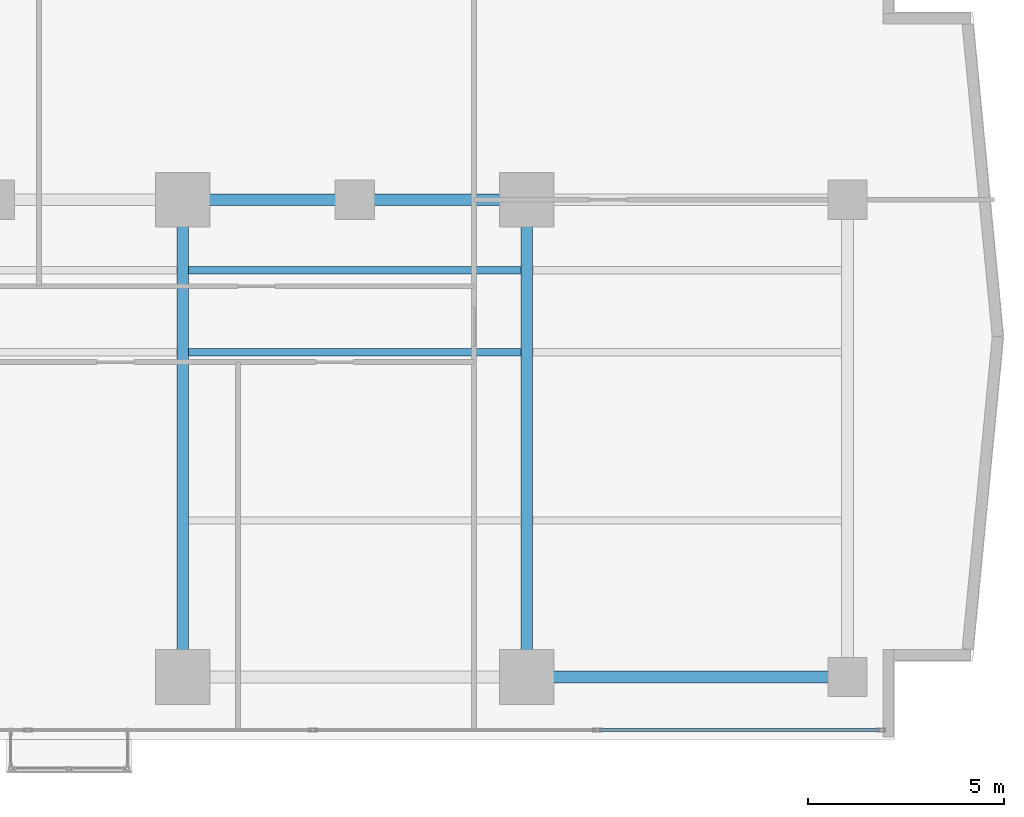
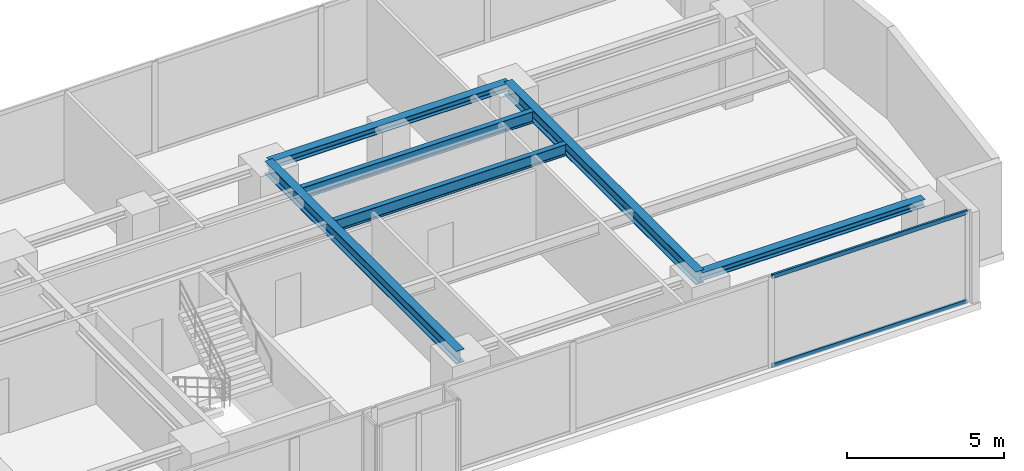
# One storey, part 13 of 28: 6 beams, 2 members, 1 element without a shape of its own.
"""IFC4 building model written with IfcOpenShell, lengths in metres."""

from ifc_helpers import new_model, si_unit, direction, frame, origin, origin_with_axes, origin_2d, place, context, subcontext, project, spatial, hollow_rectangle, i_section, extrude, source, transform, mapped, material, layer, layer_set, material_profile, profile_set, type_object, element, aggregate, save


model = new_model("IFC4")

# Units and contexts
model_context = context("Model", 3, precision=1e-05, world=origin(), true_north=direction((0.0, 1.0)))
body_context = subcontext(model_context, "Body", "Model", "MODEL_VIEW")
ifc_project = project(units=[si_unit("LENGTHUNIT", "METRE"), si_unit("AREAUNIT", "SQUARE_METRE"), si_unit("VOLUMEUNIT", "CUBIC_METRE"), si_unit("PLANEANGLEUNIT", "RADIAN"), si_unit("MASSUNIT", "GRAM", prefix="KILO")], contexts=[model_context])

# Site, building, storey
site_placement = place(None, origin())
site = spatial("IfcSite", under=ifc_project, at=site_placement, CompositionType="ELEMENT")
building_placement = place(site_placement, origin())
building = spatial("IfcBuilding", under=site, at=building_placement, Name="Kolvaren Waterfront Exchange", CompositionType="ELEMENT")
storey_placement = place(building_placement, frame((0.0, 0.0, 114.5)))
storey = spatial("IfcBuildingStorey", under=building, at=storey_placement, Name="L29", CompositionType="ELEMENT", Elevation=114.5)

# Beams
ifc_material_1 = material(Name="Steel S355", Category="steel")
ifc_material_profile_1 = material_profile(ifc_material_1, i_section(OverallWidth=0.300048828125, OverallDepth=0.300048828125, WebThickness=0.010986328125, FlangeThickness=0.01904296875, FilletRadius=0.027099609375, at=origin_2d()), Name="HEB300")
ifc_profile_set_1 = profile_set([ifc_material_profile_1], Name="Steel S355")
beam_type_1 = type_object("IfcBeamType", Name="STR-BM-HEB300", PredefinedType="SPANDREL", material=ifc_profile_set_1)
beam_1_placement = place(storey_placement, frame((45.60009765625, 5.199951171875, 3.389892578125), z_axis=(1.0, 0.0, 0.0), x_axis=(0.0, 1.0, 0.0)))
element("IfcBeam", 1, at=beam_1_placement, inside=storey, type_object=beam_type_1, Name="L29 east-arm spandrel S4", PredefinedType="SPANDREL", context=body_context, shape_type="SweptSolid", body=[
    extrude(i_section(OverallWidth=0.300048828125, OverallDepth=0.300048828125, WebThickness=0.010986328125, FlangeThickness=0.01904296875, FilletRadius=0.027099609375, at=origin_2d()), origin(), (0.0, 0.0, 1.0), 8.199951171875),
])
beam_2_placement = place(storey_placement, frame((36.800048828125, 17.39990234375, 3.389892578125), z_axis=(1.0, 0.0, 0.0), x_axis=(0.0, 1.0, 0.0)))
element("IfcBeam", 2, at=beam_2_placement, inside=storey, type_object=beam_type_1, Name="L29 east-arm spandrel N3", PredefinedType="SPANDREL", context=body_context, shape_type="SweptSolid", body=[
    extrude(i_section(OverallWidth=0.300048828125, OverallDepth=0.300048828125, WebThickness=0.010986328125, FlangeThickness=0.01904296875, FilletRadius=0.027099609375, at=origin_2d()), origin(), (0.0, 0.0, 1.0), 8.800048828125),
])
ifc_material_profile_2 = material_profile(ifc_material_1, i_section(OverallWidth=0.300048828125, OverallDepth=0.5, WebThickness=0.014404296875, FlangeThickness=0.028076171875, FilletRadius=0.027099609375, at=origin_2d()), Name="HEB500")
ifc_profile_set_2 = profile_set([ifc_material_profile_2], Name="Steel S355")
beam_type_2 = type_object("IfcBeamType", Name="STR-BM-HEB500", PredefinedType="BEAM", material=ifc_profile_set_2)
for number, where, z_axis, x_axis, name in (
    (3, (36.800048828125, 5.199951171875, 3.2900390625), (0.0, 1.0, 0.0), (-1.0, 0.0, 0.0), "L29 east-arm transverse girder X36"),
    (4, (45.60009765625, 5.199951171875, 3.2900390625), (0.0, 1.0, 0.0), (-1.0, 0.0, 0.0), "L29 east-arm transverse girder X45"),
):
    element("IfcBeam", number, at=place(storey_placement, frame(where, z_axis=z_axis, x_axis=x_axis)), inside=storey, type_object=beam_type_2, Name=name, PredefinedType="BEAM", context=body_context, shape_type="SweptSolid", body=[
        extrude(i_section(OverallWidth=0.300048828125, OverallDepth=0.5, WebThickness=0.014404296875, FlangeThickness=0.028076171875, FilletRadius=0.027099609375, at=origin_2d()), origin(), (0.0, 0.0, 1.0), 12.199951171875),
    ])
ifc_material_profile_3 = material_profile(ifc_material_1, i_section(OverallWidth=0.18994140625, OverallDepth=0.449951171875, WebThickness=0.009521484375, FlangeThickness=0.0146484375, FilletRadius=0.02099609375, at=origin_2d()), Name="IPE450")
ifc_profile_set_3 = profile_set([ifc_material_profile_3], Name="Steel S355")
beam_type_3 = type_object("IfcBeamType", Name="STR-BM-IPE450", PredefinedType="JOIST", material=ifc_profile_set_3)
for number, where, z_axis, x_axis, name in (
    (5, (36.951904296875, 13.5, 3.31494140625), (1.0, 0.0, 0.0), (0.0, 1.0, 0.0), "L29 east-arm composite joist 3A"),
    (6, (36.951904296875, 15.60009765625, 3.31494140625), (1.0, 0.0, 0.0), (0.0, 1.0, 0.0), "L29 east-arm composite joist 3C"),
):
    element("IfcBeam", number, at=place(storey_placement, frame(where, z_axis=z_axis, x_axis=x_axis)), inside=storey, type_object=beam_type_3, Name=name, PredefinedType="JOIST", context=body_context, shape_type="SweptSolid", body=[
        extrude(i_section(OverallWidth=0.18994140625, OverallDepth=0.449951171875, WebThickness=0.009521484375, FlangeThickness=0.0146484375, FilletRadius=0.02099609375, at=origin_2d()), origin(), (0.0, 0.0, 1.0), 8.49609375),
    ])

# Curtain wall, members
ifc_material_2 = material(Name="Anodised bronze aluminium 6063-T6", Category="aluminium")
ifc_layer = layer(ifc_material_2, 0.219970703125, Name="Anodised bronze aluminium 6063-T6")
ifc_layer_set = layer_set([ifc_layer], Name="Anodised bronze aluminium 6063-T6")
curtain_wall_type = type_object("IfcCurtainWallType", Name="ARC-CW-SYS1", PredefinedType="USERDEFINED", material=ifc_layer_set)
curtain_wall_placement = place(storey_placement, origin())
curtain_wall = element("IfcCurtainWall", 7, at=curtain_wall_placement, inside=storey, type_object=curtain_wall_type, Name="L29 stick curtain wall CW1 (CW-L29-S)", ObjectType="STICK CURTAIN WALL", PredefinedType="USERDEFINED")
ifc_material_3 = material(Name="Anodised aluminium 6063-T6", Category="aluminium")
ifc_material_profile_4 = material_profile(ifc_material_3, hollow_rectangle(XDim=0.074951171875, YDim=0.159912109375, WallThickness=0.00439453125, at=origin_2d()), Name="ALU-TRN-160x75x4.5")
ifc_profile_set_4 = profile_set([ifc_material_profile_4], Name="Anodised aluminium 6063-T6")
member_type = type_object("IfcMemberType", Name="ARC-CWT-160", PredefinedType="USERDEFINED", material=ifc_profile_set_4)
shared_shape = source(origin_with_axes(), body_context, "Body", "SweptSolid", [
    extrude(hollow_rectangle(XDim=0.074951171875, YDim=0.159912109375, WallThickness=0.00439453125, at=origin_2d()), origin(), (0.0, 0.0, 1.0), 7.165771484375),
])
member_1_placement = place(storey_placement, frame((47.454345703125, 3.840087890625, 0.03759765625), z_axis=(1.0, 0.0, 0.0), x_axis=(0.0, 1.0, 0.0)))
member_1 = element("IfcMember", 8, at=member_1_placement, type_object=member_type, Name="CW1 transom 7.1", ObjectType="TRANSOM", PredefinedType="USERDEFINED", context=body_context, shape_type="MappedRepresentation", body=[
    mapped(shared_shape, transform((0.0, 0.0, 0.0), x_axis=(1.0, 0.0, 0.0), y_axis=(0.0, 1.0, 0.0), z_axis=(0.0, 0.0, 1.0), scale=1.0)),
])
member_2_placement = place(storey_placement, frame((47.454345703125, 3.840087890625, 3.50244140625), z_axis=(1.0, 0.0, 0.0), x_axis=(0.0, 1.0, 0.0)))
member_2 = element("IfcMember", 9, at=member_2_placement, type_object=member_type, Name="CW1 transom 7.2", ObjectType="TRANSOM", PredefinedType="USERDEFINED", context=body_context, shape_type="MappedRepresentation", body=[
    mapped(shared_shape, transform((0.0, 0.0, 0.0), x_axis=(1.0, 0.0, 0.0), y_axis=(0.0, 1.0, 0.0), z_axis=(0.0, 0.0, 1.0), scale=1.0)),
])
aggregate(curtain_wall, [member_1, member_2])

save(model, "model.ifc")
